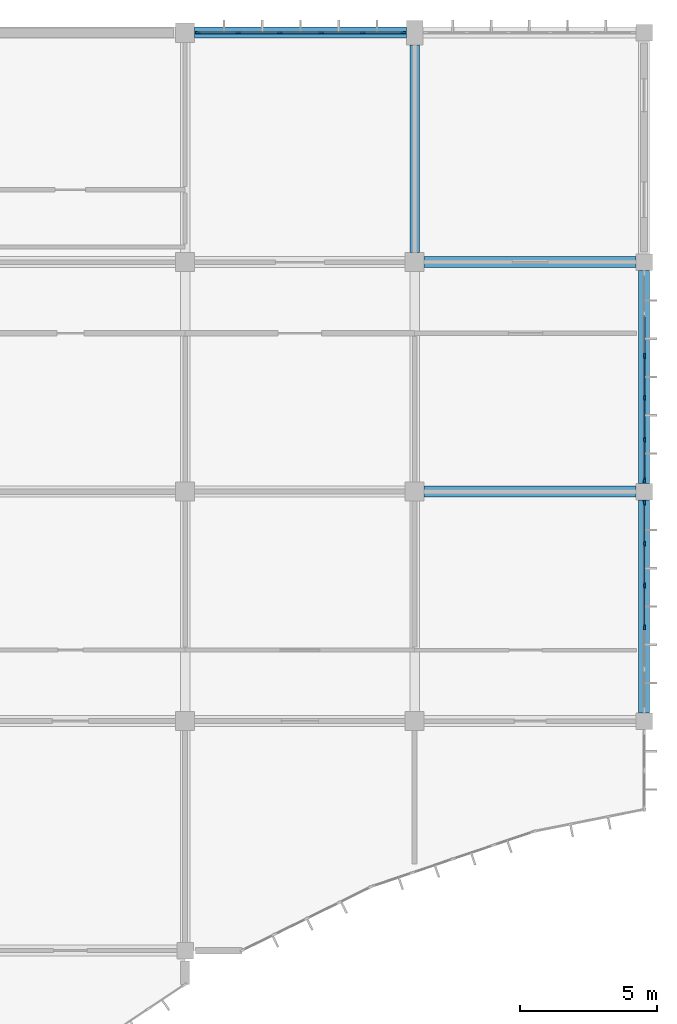
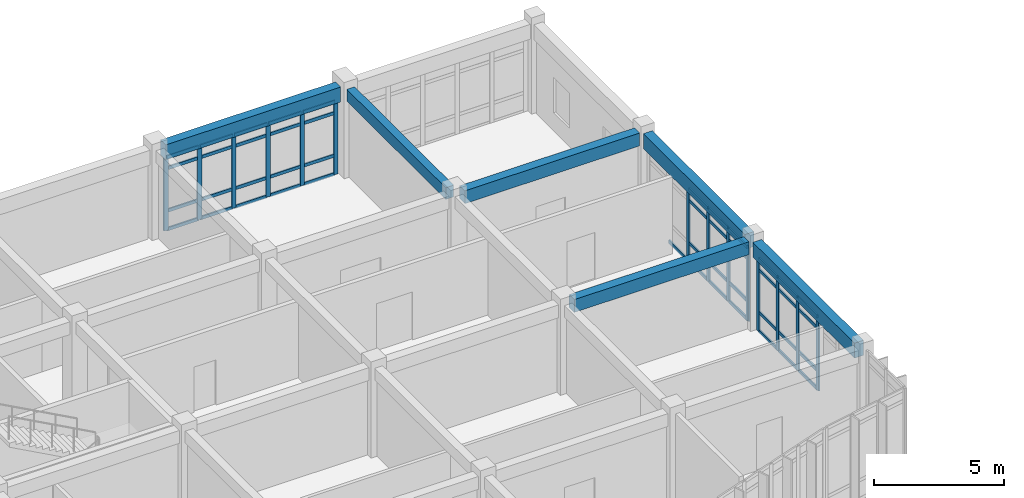
# One storey, part 68 of 144: 59 members, 6 beams, 3 elements without a shape of their own.
"""IFC4 building model written with IfcOpenShell, lengths in metres."""

from ifc_helpers import new_model, si_unit, direction, frame, origin, origin_2d, place, context, subcontext, project, spatial, rectangle, extrude, material, layer, layer_set, material_profile, profile_set, type_object, element, aggregate, save


model = new_model("IFC4")

# Units and contexts
model_context = context("Model", 3, precision=1e-05, world=origin(), true_north=direction((0.0, 1.0)))
body_context = subcontext(model_context, "Body", "Model", "MODEL_VIEW")
ifc_project = project(units=[si_unit("LENGTHUNIT", "METRE"), si_unit("AREAUNIT", "SQUARE_METRE"), si_unit("VOLUMEUNIT", "CUBIC_METRE"), si_unit("PLANEANGLEUNIT", "RADIAN"), si_unit("MASSUNIT", "GRAM", prefix="KILO")], contexts=[model_context])

# Site, building, storey
site_placement = place(None, origin())
site = spatial("IfcSite", under=ifc_project, at=site_placement, CompositionType="ELEMENT")
building_placement = place(site_placement, origin())
building = spatial("IfcBuilding", under=site, at=building_placement, Name="Bramfleet General Hospital", CompositionType="ELEMENT")
storey_placement = place(building_placement, frame((0.0, 0.0, 4.800048828125)))
storey = spatial("IfcBuildingStorey", under=building, at=storey_placement, Name="L01", CompositionType="ELEMENT", Elevation=4.800048828125)

# Beams
ifc_material_1 = material(Name="Concrete C35/45", Category="concrete")
ifc_material_profile_1 = material_profile(ifc_material_1, rectangle(XDim=0.35009765625, YDim=0.550048828125, at=origin_2d()), Name="RC BM 550x350")
ifc_profile_set_1 = profile_set([ifc_material_profile_1], Name="Concrete C35/45")
beam_type_1 = type_object("IfcBeamType", Name="BM-RC550", PredefinedType="BEAM", material=ifc_profile_set_1)
beam_1_placement = place(storey_placement, frame((159.60009765625, 109.550048828125, 3.875), z_axis=(0.0, 1.0, 0.0), x_axis=(-1.0, 0.0, 0.0)))
element("IfcBeam", 1, at=beam_1_placement, inside=storey, type_object=beam_type_1, Name="L01 Grid Beam Y 19-13", PredefinedType="BEAM", context=body_context, shape_type="SweptSolid", body=[
    extrude(rectangle(XDim=0.35009765625, YDim=0.550048828125, at=origin_2d()), origin(), (0.0, 0.0, 1.0), 7.599853515625),
])
ifc_material_profile_2 = material_profile(ifc_material_1, rectangle(XDim=0.39990234375, YDim=0.60009765625, at=origin_2d()), Name="RC BM 600x400")
ifc_profile_set_2 = profile_set([ifc_material_profile_2], Name="Concrete C35/45")
beam_type_2 = type_object("IfcBeamType", Name="BM-RC600", PredefinedType="BEAM", material=ifc_profile_set_2)
for number, where, z_axis, x_axis, name in (
    (2, (159.949951171875, 100.800048828125, 3.849853515625), (1.0, 0.0, 0.0), (0.0, 1.0, 0.0), "L01 Grid Beam X 19-12"),
    (3, (159.949951171875, 109.199951171875, 3.849853515625), (1.0, 0.0, 0.0), (0.0, 1.0, 0.0), "L01 Grid Beam X 19-13"),
):
    element("IfcBeam", number, at=place(storey_placement, frame(where, z_axis=z_axis, x_axis=x_axis)), inside=storey, type_object=beam_type_2, Name=name, PredefinedType="BEAM", context=body_context, shape_type="SweptSolid", body=[
        extrude(rectangle(XDim=0.39990234375, YDim=0.60009765625, at=origin_2d()), origin(), (0.0, 0.0, 1.0), 7.75),
    ])
ifc_material_profile_3 = material_profile(ifc_material_1, rectangle(XDim=0.39990234375, YDim=0.699951171875, at=origin_2d()), Name="RC SP 700x400")
ifc_profile_set_3 = profile_set([ifc_material_profile_3], Name="Concrete C35/45")
beam_type_3 = type_object("IfcBeamType", Name="BM-SP700", PredefinedType="SPANDREL", material=ifc_profile_set_3)
beam_2_placement = place(storey_placement, frame((151.550048828125, 117.60009765625, 3.800048828125), z_axis=(1.0, 0.0, 0.0), x_axis=(0.0, 1.0, 0.0)))
element("IfcBeam", 4, at=beam_2_placement, inside=storey, type_object=beam_type_3, Name="L01 Grid Beam X 18-14", PredefinedType="SPANDREL", context=body_context, shape_type="SweptSolid", body=[
    extrude(rectangle(XDim=0.39990234375, YDim=0.699951171875, at=origin_2d()), origin(), (0.0, 0.0, 1.0), 7.75),
])
beam_3_placement = place(storey_placement, frame((168.0, 92.699951171875, 3.800048828125), z_axis=(0.0, 1.0, 0.0), x_axis=(-1.0, 0.0, 0.0)))
element("IfcBeam", 5, at=beam_3_placement, inside=storey, type_object=beam_type_3, Name="L01 Grid Beam Y 20-11", PredefinedType="SPANDREL", context=body_context, shape_type="SweptSolid", body=[
    extrude(rectangle(XDim=0.39990234375, YDim=0.699951171875, at=origin_2d()), origin(), (0.0, 0.0, 1.0), 7.800048828125),
])
beam_4_placement = place(storey_placement, frame((168.0, 101.10009765625, 3.800048828125), z_axis=(0.0, 1.0, 0.0), x_axis=(-1.0, 0.0, 0.0)))
element("IfcBeam", 6, at=beam_4_placement, inside=storey, type_object=beam_type_3, Name="L01 Grid Beam Y 20-12", PredefinedType="SPANDREL", context=body_context, shape_type="SweptSolid", body=[
    extrude(rectangle(XDim=0.39990234375, YDim=0.699951171875, at=origin_2d()), origin(), (0.0, 0.0, 1.0), 7.7998046875),
])

# Curtain wall, members
ifc_material_2 = material(Name="Anodised aluminium and low-E triple glazing", Category="aluminium")
ifc_layer_1 = layer(ifc_material_2, 0.179931640625, Name="CWT-CW-11")
ifc_layer_set_1 = layer_set([ifc_layer_1], Name="Anodised aluminium and low-E triple glazing")
curtain_wall_type_1 = type_object("IfcCurtainWallType", Name="CWT-CW-11", PredefinedType="USERDEFINED", material=ifc_layer_set_1)
curtain_wall_1_placement = place(storey_placement, origin())
curtain_wall_1 = element("IfcCurtainWall", 7, at=curtain_wall_1_placement, inside=storey, type_object=curtain_wall_type_1, Name="L01 Curtain Wall 47", ObjectType="Stick curtain wall", PredefinedType="USERDEFINED")
ifc_material_3 = material(Name="Structural timber GL28h", Category="wood")
ifc_material_profile_4 = material_profile(ifc_material_3, rectangle(XDim=0.070068359375, YDim=0.18994140625, at=origin_2d()), Name="LARCH 190x70")
ifc_profile_set_4 = profile_set([ifc_material_profile_4], Name="Structural timber GL28h")
member_type_1 = type_object("IfcMemberType", Name="CWM-LARCH450", PredefinedType="MULLION", material=ifc_profile_set_4)
member_1_placement = place(storey_placement, frame((151.659912109375, 117.60009765625, 0.0), z_axis=(0.0, 0.0, 1.0), x_axis=(0.0, 1.0, 0.0)))
member_1 = element("IfcMember", 8, at=member_1_placement, type_object=member_type_1, Name="CW-11 mullion 1", PredefinedType="MULLION", context=body_context, shape_type="SweptSolid", body=[
    extrude(rectangle(XDim=0.070068359375, YDim=0.18994140625, at=origin_2d()), origin(), (0.0, 0.0, 1.0), 3.43994140625),
])
member_2_placement = place(storey_placement, frame((153.14501953125, 117.60009765625, 0.0), z_axis=(0.0, 0.0, 1.0), x_axis=(0.0, 1.0, 0.0)))
member_2 = element("IfcMember", 9, at=member_2_placement, type_object=member_type_1, Name="CW-11 mullion 2", PredefinedType="MULLION", context=body_context, shape_type="SweptSolid", body=[
    extrude(rectangle(XDim=0.070068359375, YDim=0.18994140625, at=origin_2d()), origin(), (0.0, 0.0, 1.0), 3.43994140625),
])
member_3_placement = place(storey_placement, frame((154.6650390625, 117.60009765625, 0.0), z_axis=(0.0, 0.0, 1.0), x_axis=(0.0, 1.0, 0.0)))
member_3 = element("IfcMember", 10, at=member_3_placement, type_object=member_type_1, Name="CW-11 mullion 3", PredefinedType="MULLION", context=body_context, shape_type="SweptSolid", body=[
    extrude(rectangle(XDim=0.070068359375, YDim=0.18994140625, at=origin_2d()), origin(), (0.0, 0.0, 1.0), 3.43994140625),
])
member_4_placement = place(storey_placement, frame((156.18505859375, 117.60009765625, 0.0), z_axis=(0.0, 0.0, 1.0), x_axis=(0.0, 1.0, 0.0)))
member_4 = element("IfcMember", 11, at=member_4_placement, type_object=member_type_1, Name="CW-11 mullion 4", PredefinedType="MULLION", context=body_context, shape_type="SweptSolid", body=[
    extrude(rectangle(XDim=0.070068359375, YDim=0.18994140625, at=origin_2d()), origin(), (0.0, 0.0, 1.0), 3.43994140625),
])
member_5_placement = place(storey_placement, frame((157.705078125, 117.60009765625, 0.0), z_axis=(0.0, 0.0, 1.0), x_axis=(0.0, 1.0, 0.0)))
member_5 = element("IfcMember", 12, at=member_5_placement, type_object=member_type_1, Name="CW-11 mullion 5", PredefinedType="MULLION", context=body_context, shape_type="SweptSolid", body=[
    extrude(rectangle(XDim=0.070068359375, YDim=0.18994140625, at=origin_2d()), origin(), (0.0, 0.0, 1.0), 3.43994140625),
])
member_6_placement = place(storey_placement, frame((159.18994140625, 117.60009765625, 0.0), z_axis=(0.0, 0.0, 1.0), x_axis=(0.0, 1.0, 0.0)))
member_6 = element("IfcMember", 13, at=member_6_placement, type_object=member_type_1, Name="CW-11 mullion 6", PredefinedType="MULLION", context=body_context, shape_type="SweptSolid", body=[
    extrude(rectangle(XDim=0.070068359375, YDim=0.18994140625, at=origin_2d()), origin(), (0.0, 0.0, 1.0), 3.43994140625),
])

ifc_layer_2 = layer(ifc_material_2, 0.179931640625, Name="CWT-CW-13")
ifc_layer_set_2 = layer_set([ifc_layer_2], Name="Anodised aluminium and low-E triple glazing")
curtain_wall_type_2 = type_object("IfcCurtainWallType", Name="CWT-CW-13", PredefinedType="USERDEFINED", material=ifc_layer_set_2)
curtain_wall_2_placement = place(storey_placement, origin())
curtain_wall_2 = element("IfcCurtainWall", 14, at=curtain_wall_2_placement, inside=storey, type_object=curtain_wall_type_2, Name="L01 Curtain Wall 49", ObjectType="Stick curtain wall", PredefinedType="USERDEFINED")
member_7_placement = place(storey_placement, frame((168.0, 105.764892578125, 0.0), z_axis=(0.0, 0.0, 1.0), x_axis=(1.0, 0.0, 0.0)))
member_7 = element("IfcMember", 15, at=member_7_placement, type_object=member_type_1, Name="CW-13 mullion 3", PredefinedType="MULLION", context=body_context, shape_type="SweptSolid", body=[
    extrude(rectangle(XDim=0.070068359375, YDim=0.18994140625, at=origin_2d()), origin(), (0.0, 0.0, 1.0), 3.43994140625),
])
member_8_placement = place(storey_placement, frame((168.0, 104.235107421875, 0.0), z_axis=(0.0, 0.0, 1.0), x_axis=(1.0, 0.0, 0.0)))
member_8 = element("IfcMember", 16, at=member_8_placement, type_object=member_type_1, Name="CW-13 mullion 4", PredefinedType="MULLION", context=body_context, shape_type="SweptSolid", body=[
    extrude(rectangle(XDim=0.070068359375, YDim=0.18994140625, at=origin_2d()), origin(), (0.0, 0.0, 1.0), 3.43994140625),
])
member_9_placement = place(storey_placement, frame((168.0, 102.705078125, 0.0), z_axis=(0.0, 0.0, 1.0), x_axis=(1.0, 0.0, 0.0)))
member_9 = element("IfcMember", 17, at=member_9_placement, type_object=member_type_1, Name="CW-13 mullion 5", PredefinedType="MULLION", context=body_context, shape_type="SweptSolid", body=[
    extrude(rectangle(XDim=0.070068359375, YDim=0.18994140625, at=origin_2d()), origin(), (0.0, 0.0, 1.0), 3.43994140625),
])
member_10_placement = place(storey_placement, frame((168.0, 101.2099609375, 0.0), z_axis=(0.0, 0.0, 1.0), x_axis=(1.0, 0.0, 0.0)))
member_10 = element("IfcMember", 18, at=member_10_placement, type_object=member_type_1, Name="CW-13 mullion 6", PredefinedType="MULLION", context=body_context, shape_type="SweptSolid", body=[
    extrude(rectangle(XDim=0.070068359375, YDim=0.18994140625, at=origin_2d()), origin(), (0.0, 0.0, 1.0), 3.43994140625),
])

ifc_layer_3 = layer(ifc_material_2, 0.179931640625, Name="CWT-CW-14")
ifc_layer_set_3 = layer_set([ifc_layer_3], Name="Anodised aluminium and low-E triple glazing")
curtain_wall_type_3 = type_object("IfcCurtainWallType", Name="CWT-CW-14", PredefinedType="USERDEFINED", material=ifc_layer_set_3)
curtain_wall_3_placement = place(storey_placement, origin())
curtain_wall_3 = element("IfcCurtainWall", 19, at=curtain_wall_3_placement, inside=storey, type_object=curtain_wall_type_3, Name="L01 Curtain Wall 50", ObjectType="Stick curtain wall", PredefinedType="USERDEFINED")
member_11_placement = place(storey_placement, frame((168.0, 100.389892578125, 0.0), z_axis=(0.0, 0.0, 1.0), x_axis=(1.0, 0.0, 0.0)))
member_11 = element("IfcMember", 20, at=member_11_placement, type_object=member_type_1, Name="CW-14 mullion 1", PredefinedType="MULLION", context=body_context, shape_type="SweptSolid", body=[
    extrude(rectangle(XDim=0.070068359375, YDim=0.18994140625, at=origin_2d()), origin(), (0.0, 0.0, 1.0), 3.43994140625),
])
member_12_placement = place(storey_placement, frame((168.0, 98.89501953125, 0.0), z_axis=(0.0, 0.0, 1.0), x_axis=(1.0, 0.0, 0.0)))
member_12 = element("IfcMember", 21, at=member_12_placement, type_object=member_type_1, Name="CW-14 mullion 2", PredefinedType="MULLION", context=body_context, shape_type="SweptSolid", body=[
    extrude(rectangle(XDim=0.070068359375, YDim=0.18994140625, at=origin_2d()), origin(), (0.0, 0.0, 1.0), 3.43994140625),
])
member_13_placement = place(storey_placement, frame((168.0, 97.364990234375, 0.0), z_axis=(0.0, 0.0, 1.0), x_axis=(1.0, 0.0, 0.0)))
member_13 = element("IfcMember", 22, at=member_13_placement, type_object=member_type_1, Name="CW-14 mullion 3", PredefinedType="MULLION", context=body_context, shape_type="SweptSolid", body=[
    extrude(rectangle(XDim=0.070068359375, YDim=0.18994140625, at=origin_2d()), origin(), (0.0, 0.0, 1.0), 3.43994140625),
])
member_14_placement = place(storey_placement, frame((168.0, 95.8349609375, 0.0), z_axis=(0.0, 0.0, 1.0), x_axis=(1.0, 0.0, 0.0)))
member_14 = element("IfcMember", 23, at=member_14_placement, type_object=member_type_1, Name="CW-14 mullion 4", PredefinedType="MULLION", context=body_context, shape_type="SweptSolid", body=[
    extrude(rectangle(XDim=0.070068359375, YDim=0.18994140625, at=origin_2d()), origin(), (0.0, 0.0, 1.0), 3.43994140625),
])

# Member
ifc_material_profile_5 = material_profile(ifc_material_3, rectangle(XDim=0.06494140625, YDim=0.14990234375, at=origin_2d()), Name="LARCH 150x65")
ifc_profile_set_5 = profile_set([ifc_material_profile_5], Name="Structural timber GL28h")
member_type_2 = type_object("IfcMemberType", Name="CWT-LARCH220", PredefinedType="USERDEFINED", material=ifc_profile_set_5)
member_15_placement = place(storey_placement, frame((151.695068359375, 117.60009765625, 0.032470703125), z_axis=(1.0, 0.0, 0.0), x_axis=(0.0, 1.0, 0.0)))
member_15 = element("IfcMember", 24, at=member_15_placement, type_object=member_type_2, Name="CW-11 transom 1.1", ObjectType="TRANSOM", PredefinedType="USERDEFINED", context=body_context, shape_type="SweptSolid", body=[
    extrude(rectangle(XDim=0.06494140625, YDim=0.14990234375, at=origin_2d()), origin(), (0.0, 0.0, 1.0), 1.4150390625),
])

member_16_placement = place(storey_placement, frame((151.695068359375, 117.60009765625, 0.89990234375), z_axis=(1.0, 0.0, 0.0), x_axis=(0.0, 1.0, 0.0)))
member_16 = element("IfcMember", 25, at=member_16_placement, type_object=member_type_2, Name="CW-11 transom 1.2", ObjectType="TRANSOM", PredefinedType="USERDEFINED", context=body_context, shape_type="SweptSolid", body=[
    extrude(rectangle(XDim=0.06494140625, YDim=0.14990234375, at=origin_2d()), origin(), (0.0, 0.0, 1.0), 1.4150390625),
])

member_17_placement = place(storey_placement, frame((151.695068359375, 117.60009765625, 2.889892578125), z_axis=(1.0, 0.0, 0.0), x_axis=(0.0, 1.0, 0.0)))
member_17 = element("IfcMember", 26, at=member_17_placement, type_object=member_type_2, Name="CW-11 transom 1.3", ObjectType="TRANSOM", PredefinedType="USERDEFINED", context=body_context, shape_type="SweptSolid", body=[
    extrude(rectangle(XDim=0.06494140625, YDim=0.14990234375, at=origin_2d()), origin(), (0.0, 0.0, 1.0), 1.4150390625),
])

member_18_placement = place(storey_placement, frame((151.695068359375, 117.60009765625, 3.407470703125), z_axis=(1.0, 0.0, 0.0), x_axis=(0.0, 1.0, 0.0)))
member_18 = element("IfcMember", 27, at=member_18_placement, type_object=member_type_2, Name="CW-11 transom 1.4", ObjectType="TRANSOM", PredefinedType="USERDEFINED", context=body_context, shape_type="SweptSolid", body=[
    extrude(rectangle(XDim=0.06494140625, YDim=0.14990234375, at=origin_2d()), origin(), (0.0, 0.0, 1.0), 1.4150390625),
])

member_19_placement = place(storey_placement, frame((153.179931640625, 117.60009765625, 0.032470703125), z_axis=(1.0, 0.0, 0.0), x_axis=(0.0, 1.0, 0.0)))
member_19 = element("IfcMember", 28, at=member_19_placement, type_object=member_type_2, Name="CW-11 transom 2.1", ObjectType="TRANSOM", PredefinedType="USERDEFINED", context=body_context, shape_type="SweptSolid", body=[
    extrude(rectangle(XDim=0.06494140625, YDim=0.14990234375, at=origin_2d()), origin(), (0.0, 0.0, 1.0), 1.449951171875),
])

member_20_placement = place(storey_placement, frame((153.179931640625, 117.60009765625, 0.89990234375), z_axis=(1.0, 0.0, 0.0), x_axis=(0.0, 1.0, 0.0)))
member_20 = element("IfcMember", 29, at=member_20_placement, type_object=member_type_2, Name="CW-11 transom 2.2", ObjectType="TRANSOM", PredefinedType="USERDEFINED", context=body_context, shape_type="SweptSolid", body=[
    extrude(rectangle(XDim=0.06494140625, YDim=0.14990234375, at=origin_2d()), origin(), (0.0, 0.0, 1.0), 1.449951171875),
])

member_21_placement = place(storey_placement, frame((153.179931640625, 117.60009765625, 2.889892578125), z_axis=(1.0, 0.0, 0.0), x_axis=(0.0, 1.0, 0.0)))
member_21 = element("IfcMember", 30, at=member_21_placement, type_object=member_type_2, Name="CW-11 transom 2.3", ObjectType="TRANSOM", PredefinedType="USERDEFINED", context=body_context, shape_type="SweptSolid", body=[
    extrude(rectangle(XDim=0.06494140625, YDim=0.14990234375, at=origin_2d()), origin(), (0.0, 0.0, 1.0), 1.449951171875),
])

member_22_placement = place(storey_placement, frame((153.179931640625, 117.60009765625, 3.407470703125), z_axis=(1.0, 0.0, 0.0), x_axis=(0.0, 1.0, 0.0)))
member_22 = element("IfcMember", 31, at=member_22_placement, type_object=member_type_2, Name="CW-11 transom 2.4", ObjectType="TRANSOM", PredefinedType="USERDEFINED", context=body_context, shape_type="SweptSolid", body=[
    extrude(rectangle(XDim=0.06494140625, YDim=0.14990234375, at=origin_2d()), origin(), (0.0, 0.0, 1.0), 1.449951171875),
])

member_23_placement = place(storey_placement, frame((154.699951171875, 117.60009765625, 0.032470703125), z_axis=(1.0, 0.0, 0.0), x_axis=(0.0, 1.0, 0.0)))
member_23 = element("IfcMember", 32, at=member_23_placement, type_object=member_type_2, Name="CW-11 transom 3.1", ObjectType="TRANSOM", PredefinedType="USERDEFINED", context=body_context, shape_type="SweptSolid", body=[
    extrude(rectangle(XDim=0.06494140625, YDim=0.14990234375, at=origin_2d()), origin(), (0.0, 0.0, 1.0), 1.449951171875),
])

member_24_placement = place(storey_placement, frame((154.699951171875, 117.60009765625, 0.89990234375), z_axis=(1.0, 0.0, 0.0), x_axis=(0.0, 1.0, 0.0)))
member_24 = element("IfcMember", 33, at=member_24_placement, type_object=member_type_2, Name="CW-11 transom 3.2", ObjectType="TRANSOM", PredefinedType="USERDEFINED", context=body_context, shape_type="SweptSolid", body=[
    extrude(rectangle(XDim=0.06494140625, YDim=0.14990234375, at=origin_2d()), origin(), (0.0, 0.0, 1.0), 1.449951171875),
])

member_25_placement = place(storey_placement, frame((154.699951171875, 117.60009765625, 2.889892578125), z_axis=(1.0, 0.0, 0.0), x_axis=(0.0, 1.0, 0.0)))
member_25 = element("IfcMember", 34, at=member_25_placement, type_object=member_type_2, Name="CW-11 transom 3.3", ObjectType="TRANSOM", PredefinedType="USERDEFINED", context=body_context, shape_type="SweptSolid", body=[
    extrude(rectangle(XDim=0.06494140625, YDim=0.14990234375, at=origin_2d()), origin(), (0.0, 0.0, 1.0), 1.449951171875),
])

member_26_placement = place(storey_placement, frame((154.699951171875, 117.60009765625, 3.407470703125), z_axis=(1.0, 0.0, 0.0), x_axis=(0.0, 1.0, 0.0)))
member_26 = element("IfcMember", 35, at=member_26_placement, type_object=member_type_2, Name="CW-11 transom 3.4", ObjectType="TRANSOM", PredefinedType="USERDEFINED", context=body_context, shape_type="SweptSolid", body=[
    extrude(rectangle(XDim=0.06494140625, YDim=0.14990234375, at=origin_2d()), origin(), (0.0, 0.0, 1.0), 1.449951171875),
])

member_27_placement = place(storey_placement, frame((156.219970703125, 117.60009765625, 0.032470703125), z_axis=(1.0, 0.0, 0.0), x_axis=(0.0, 1.0, 0.0)))
member_27 = element("IfcMember", 36, at=member_27_placement, type_object=member_type_2, Name="CW-11 transom 4.1", ObjectType="TRANSOM", PredefinedType="USERDEFINED", context=body_context, shape_type="SweptSolid", body=[
    extrude(rectangle(XDim=0.06494140625, YDim=0.14990234375, at=origin_2d()), origin(), (0.0, 0.0, 1.0), 1.449951171875),
])

member_28_placement = place(storey_placement, frame((156.219970703125, 117.60009765625, 0.89990234375), z_axis=(1.0, 0.0, 0.0), x_axis=(0.0, 1.0, 0.0)))
member_28 = element("IfcMember", 37, at=member_28_placement, type_object=member_type_2, Name="CW-11 transom 4.2", ObjectType="TRANSOM", PredefinedType="USERDEFINED", context=body_context, shape_type="SweptSolid", body=[
    extrude(rectangle(XDim=0.06494140625, YDim=0.14990234375, at=origin_2d()), origin(), (0.0, 0.0, 1.0), 1.449951171875),
])

member_29_placement = place(storey_placement, frame((156.219970703125, 117.60009765625, 2.889892578125), z_axis=(1.0, 0.0, 0.0), x_axis=(0.0, 1.0, 0.0)))
member_29 = element("IfcMember", 38, at=member_29_placement, type_object=member_type_2, Name="CW-11 transom 4.3", ObjectType="TRANSOM", PredefinedType="USERDEFINED", context=body_context, shape_type="SweptSolid", body=[
    extrude(rectangle(XDim=0.06494140625, YDim=0.14990234375, at=origin_2d()), origin(), (0.0, 0.0, 1.0), 1.449951171875),
])

member_30_placement = place(storey_placement, frame((156.219970703125, 117.60009765625, 3.407470703125), z_axis=(1.0, 0.0, 0.0), x_axis=(0.0, 1.0, 0.0)))
member_30 = element("IfcMember", 39, at=member_30_placement, type_object=member_type_2, Name="CW-11 transom 4.4", ObjectType="TRANSOM", PredefinedType="USERDEFINED", context=body_context, shape_type="SweptSolid", body=[
    extrude(rectangle(XDim=0.06494140625, YDim=0.14990234375, at=origin_2d()), origin(), (0.0, 0.0, 1.0), 1.449951171875),
])

member_31_placement = place(storey_placement, frame((157.739990234375, 117.60009765625, 0.032470703125), z_axis=(1.0, 0.0, 0.0), x_axis=(0.0, 1.0, 0.0)))
member_31 = element("IfcMember", 40, at=member_31_placement, type_object=member_type_2, Name="CW-11 transom 5.1", ObjectType="TRANSOM", PredefinedType="USERDEFINED", context=body_context, shape_type="SweptSolid", body=[
    extrude(rectangle(XDim=0.06494140625, YDim=0.14990234375, at=origin_2d()), origin(), (0.0, 0.0, 1.0), 1.4150390625),
])

member_32_placement = place(storey_placement, frame((157.739990234375, 117.60009765625, 0.89990234375), z_axis=(1.0, 0.0, 0.0), x_axis=(0.0, 1.0, 0.0)))
member_32 = element("IfcMember", 41, at=member_32_placement, type_object=member_type_2, Name="CW-11 transom 5.2", ObjectType="TRANSOM", PredefinedType="USERDEFINED", context=body_context, shape_type="SweptSolid", body=[
    extrude(rectangle(XDim=0.06494140625, YDim=0.14990234375, at=origin_2d()), origin(), (0.0, 0.0, 1.0), 1.4150390625),
])

member_33_placement = place(storey_placement, frame((157.739990234375, 117.60009765625, 2.889892578125), z_axis=(1.0, 0.0, 0.0), x_axis=(0.0, 1.0, 0.0)))
member_33 = element("IfcMember", 42, at=member_33_placement, type_object=member_type_2, Name="CW-11 transom 5.3", ObjectType="TRANSOM", PredefinedType="USERDEFINED", context=body_context, shape_type="SweptSolid", body=[
    extrude(rectangle(XDim=0.06494140625, YDim=0.14990234375, at=origin_2d()), origin(), (0.0, 0.0, 1.0), 1.4150390625),
])

member_34_placement = place(storey_placement, frame((157.739990234375, 117.60009765625, 3.407470703125), z_axis=(1.0, 0.0, 0.0), x_axis=(0.0, 1.0, 0.0)))
member_34 = element("IfcMember", 43, at=member_34_placement, type_object=member_type_2, Name="CW-11 transom 5.4", ObjectType="TRANSOM", PredefinedType="USERDEFINED", context=body_context, shape_type="SweptSolid", body=[
    extrude(rectangle(XDim=0.06494140625, YDim=0.14990234375, at=origin_2d()), origin(), (0.0, 0.0, 1.0), 1.4150390625),
])

aggregate(curtain_wall_1, [member_1, member_2, member_3, member_4, member_5, member_6, member_15, member_16, member_17, member_18, member_19, member_20, member_21, member_22, member_23, member_24, member_25, member_26, member_27, member_28, member_29, member_30, member_31, member_32, member_33, member_34])

member_35_placement = place(storey_placement, frame((168.0, 107.260009765625, 0.032470703125), z_axis=(0.0, -1.0, 0.0), x_axis=(1.0, 0.0, 0.0)))
member_35 = element("IfcMember", 44, at=member_35_placement, type_object=member_type_2, Name="CW-13 transom 2.1", ObjectType="TRANSOM", PredefinedType="USERDEFINED", context=body_context, shape_type="SweptSolid", body=[
    extrude(rectangle(XDim=0.06494140625, YDim=0.14990234375, at=origin_2d()), origin(), (0.0, 0.0, 1.0), 1.4599609375),
])

member_36_placement = place(storey_placement, frame((168.0, 105.72998046875, 0.032470703125), z_axis=(0.0, -1.0, 0.0), x_axis=(1.0, 0.0, 0.0)))
member_36 = element("IfcMember", 45, at=member_36_placement, type_object=member_type_2, Name="CW-13 transom 3.1", ObjectType="TRANSOM", PredefinedType="USERDEFINED", context=body_context, shape_type="SweptSolid", body=[
    extrude(rectangle(XDim=0.06494140625, YDim=0.14990234375, at=origin_2d()), origin(), (0.0, 0.0, 1.0), 1.4599609375),
])

member_37_placement = place(storey_placement, frame((168.0, 105.72998046875, 0.89990234375), z_axis=(0.0, -1.0, 0.0), x_axis=(1.0, 0.0, 0.0)))
member_37 = element("IfcMember", 46, at=member_37_placement, type_object=member_type_2, Name="CW-13 transom 3.2", ObjectType="TRANSOM", PredefinedType="USERDEFINED", context=body_context, shape_type="SweptSolid", body=[
    extrude(rectangle(XDim=0.06494140625, YDim=0.14990234375, at=origin_2d()), origin(), (0.0, 0.0, 1.0), 1.4599609375),
])

member_38_placement = place(storey_placement, frame((168.0, 105.72998046875, 2.889892578125), z_axis=(0.0, -1.0, 0.0), x_axis=(1.0, 0.0, 0.0)))
member_38 = element("IfcMember", 47, at=member_38_placement, type_object=member_type_2, Name="CW-13 transom 3.3", ObjectType="TRANSOM", PredefinedType="USERDEFINED", context=body_context, shape_type="SweptSolid", body=[
    extrude(rectangle(XDim=0.06494140625, YDim=0.14990234375, at=origin_2d()), origin(), (0.0, 0.0, 1.0), 1.4599609375),
])

member_39_placement = place(storey_placement, frame((168.0, 105.72998046875, 3.407470703125), z_axis=(0.0, -1.0, 0.0), x_axis=(1.0, 0.0, 0.0)))
member_39 = element("IfcMember", 48, at=member_39_placement, type_object=member_type_2, Name="CW-13 transom 3.4", ObjectType="TRANSOM", PredefinedType="USERDEFINED", context=body_context, shape_type="SweptSolid", body=[
    extrude(rectangle(XDim=0.06494140625, YDim=0.14990234375, at=origin_2d()), origin(), (0.0, 0.0, 1.0), 1.4599609375),
])

member_40_placement = place(storey_placement, frame((168.0, 104.199951171875, 0.032470703125), z_axis=(0.0, -1.0, 0.0), x_axis=(1.0, 0.0, 0.0)))
member_40 = element("IfcMember", 49, at=member_40_placement, type_object=member_type_2, Name="CW-13 transom 4.1", ObjectType="TRANSOM", PredefinedType="USERDEFINED", context=body_context, shape_type="SweptSolid", body=[
    extrude(rectangle(XDim=0.06494140625, YDim=0.14990234375, at=origin_2d()), origin(), (0.0, 0.0, 1.0), 1.4599609375),
])

member_41_placement = place(storey_placement, frame((168.0, 104.199951171875, 0.89990234375), z_axis=(0.0, -1.0, 0.0), x_axis=(1.0, 0.0, 0.0)))
member_41 = element("IfcMember", 50, at=member_41_placement, type_object=member_type_2, Name="CW-13 transom 4.2", ObjectType="TRANSOM", PredefinedType="USERDEFINED", context=body_context, shape_type="SweptSolid", body=[
    extrude(rectangle(XDim=0.06494140625, YDim=0.14990234375, at=origin_2d()), origin(), (0.0, 0.0, 1.0), 1.4599609375),
])

member_42_placement = place(storey_placement, frame((168.0, 104.199951171875, 2.889892578125), z_axis=(0.0, -1.0, 0.0), x_axis=(1.0, 0.0, 0.0)))
member_42 = element("IfcMember", 51, at=member_42_placement, type_object=member_type_2, Name="CW-13 transom 4.3", ObjectType="TRANSOM", PredefinedType="USERDEFINED", context=body_context, shape_type="SweptSolid", body=[
    extrude(rectangle(XDim=0.06494140625, YDim=0.14990234375, at=origin_2d()), origin(), (0.0, 0.0, 1.0), 1.4599609375),
])

member_43_placement = place(storey_placement, frame((168.0, 104.199951171875, 3.407470703125), z_axis=(0.0, -1.0, 0.0), x_axis=(1.0, 0.0, 0.0)))
member_43 = element("IfcMember", 52, at=member_43_placement, type_object=member_type_2, Name="CW-13 transom 4.4", ObjectType="TRANSOM", PredefinedType="USERDEFINED", context=body_context, shape_type="SweptSolid", body=[
    extrude(rectangle(XDim=0.06494140625, YDim=0.14990234375, at=origin_2d()), origin(), (0.0, 0.0, 1.0), 1.4599609375),
])

member_44_placement = place(storey_placement, frame((168.0, 102.669921875, 0.032470703125), z_axis=(0.0, -1.0, 0.0), x_axis=(1.0, 0.0, 0.0)))
member_44 = element("IfcMember", 53, at=member_44_placement, type_object=member_type_2, Name="CW-13 transom 5.1", ObjectType="TRANSOM", PredefinedType="USERDEFINED", context=body_context, shape_type="SweptSolid", body=[
    extrude(rectangle(XDim=0.06494140625, YDim=0.14990234375, at=origin_2d()), origin(), (0.0, 0.0, 1.0), 1.4248046875),
])

member_45_placement = place(storey_placement, frame((168.0, 102.669921875, 0.89990234375), z_axis=(0.0, -1.0, 0.0), x_axis=(1.0, 0.0, 0.0)))
member_45 = element("IfcMember", 54, at=member_45_placement, type_object=member_type_2, Name="CW-13 transom 5.2", ObjectType="TRANSOM", PredefinedType="USERDEFINED", context=body_context, shape_type="SweptSolid", body=[
    extrude(rectangle(XDim=0.06494140625, YDim=0.14990234375, at=origin_2d()), origin(), (0.0, 0.0, 1.0), 1.4248046875),
])

member_46_placement = place(storey_placement, frame((168.0, 102.669921875, 2.889892578125), z_axis=(0.0, -1.0, 0.0), x_axis=(1.0, 0.0, 0.0)))
member_46 = element("IfcMember", 55, at=member_46_placement, type_object=member_type_2, Name="CW-13 transom 5.3", ObjectType="TRANSOM", PredefinedType="USERDEFINED", context=body_context, shape_type="SweptSolid", body=[
    extrude(rectangle(XDim=0.06494140625, YDim=0.14990234375, at=origin_2d()), origin(), (0.0, 0.0, 1.0), 1.4248046875),
])

member_47_placement = place(storey_placement, frame((168.0, 102.669921875, 3.407470703125), z_axis=(0.0, -1.0, 0.0), x_axis=(1.0, 0.0, 0.0)))
member_47 = element("IfcMember", 56, at=member_47_placement, type_object=member_type_2, Name="CW-13 transom 5.4", ObjectType="TRANSOM", PredefinedType="USERDEFINED", context=body_context, shape_type="SweptSolid", body=[
    extrude(rectangle(XDim=0.06494140625, YDim=0.14990234375, at=origin_2d()), origin(), (0.0, 0.0, 1.0), 1.4248046875),
])

aggregate(curtain_wall_2, [member_7, member_8, member_9, member_10, member_35, member_36, member_37, member_38, member_39, member_40, member_41, member_42, member_43, member_44, member_45, member_46, member_47])

member_48_placement = place(storey_placement, frame((168.0, 100.35498046875, 0.032470703125), z_axis=(0.0, -1.0, 0.0), x_axis=(1.0, 0.0, 0.0)))
member_48 = element("IfcMember", 57, at=member_48_placement, type_object=member_type_2, Name="CW-14 transom 1.1", ObjectType="TRANSOM", PredefinedType="USERDEFINED", context=body_context, shape_type="SweptSolid", body=[
    extrude(rectangle(XDim=0.06494140625, YDim=0.14990234375, at=origin_2d()), origin(), (0.0, 0.0, 1.0), 1.425048828125),
])

member_49_placement = place(storey_placement, frame((168.0, 100.35498046875, 0.89990234375), z_axis=(0.0, -1.0, 0.0), x_axis=(1.0, 0.0, 0.0)))
member_49 = element("IfcMember", 58, at=member_49_placement, type_object=member_type_2, Name="CW-14 transom 1.2", ObjectType="TRANSOM", PredefinedType="USERDEFINED", context=body_context, shape_type="SweptSolid", body=[
    extrude(rectangle(XDim=0.06494140625, YDim=0.14990234375, at=origin_2d()), origin(), (0.0, 0.0, 1.0), 1.425048828125),
])

member_50_placement = place(storey_placement, frame((168.0, 100.35498046875, 2.889892578125), z_axis=(0.0, -1.0, 0.0), x_axis=(1.0, 0.0, 0.0)))
member_50 = element("IfcMember", 59, at=member_50_placement, type_object=member_type_2, Name="CW-14 transom 1.3", ObjectType="TRANSOM", PredefinedType="USERDEFINED", context=body_context, shape_type="SweptSolid", body=[
    extrude(rectangle(XDim=0.06494140625, YDim=0.14990234375, at=origin_2d()), origin(), (0.0, 0.0, 1.0), 1.425048828125),
])

member_51_placement = place(storey_placement, frame((168.0, 100.35498046875, 3.407470703125), z_axis=(0.0, -1.0, 0.0), x_axis=(1.0, 0.0, 0.0)))
member_51 = element("IfcMember", 60, at=member_51_placement, type_object=member_type_2, Name="CW-14 transom 1.4", ObjectType="TRANSOM", PredefinedType="USERDEFINED", context=body_context, shape_type="SweptSolid", body=[
    extrude(rectangle(XDim=0.06494140625, YDim=0.14990234375, at=origin_2d()), origin(), (0.0, 0.0, 1.0), 1.425048828125),
])

member_52_placement = place(storey_placement, frame((168.0, 98.860107421875, 0.032470703125), z_axis=(0.0, -1.0, 0.0), x_axis=(1.0, 0.0, 0.0)))
member_52 = element("IfcMember", 61, at=member_52_placement, type_object=member_type_2, Name="CW-14 transom 2.1", ObjectType="TRANSOM", PredefinedType="USERDEFINED", context=body_context, shape_type="SweptSolid", body=[
    extrude(rectangle(XDim=0.06494140625, YDim=0.14990234375, at=origin_2d()), origin(), (0.0, 0.0, 1.0), 1.460205078125),
])

member_53_placement = place(storey_placement, frame((168.0, 98.860107421875, 0.89990234375), z_axis=(0.0, -1.0, 0.0), x_axis=(1.0, 0.0, 0.0)))
member_53 = element("IfcMember", 62, at=member_53_placement, type_object=member_type_2, Name="CW-14 transom 2.2", ObjectType="TRANSOM", PredefinedType="USERDEFINED", context=body_context, shape_type="SweptSolid", body=[
    extrude(rectangle(XDim=0.06494140625, YDim=0.14990234375, at=origin_2d()), origin(), (0.0, 0.0, 1.0), 1.460205078125),
])

member_54_placement = place(storey_placement, frame((168.0, 98.860107421875, 2.889892578125), z_axis=(0.0, -1.0, 0.0), x_axis=(1.0, 0.0, 0.0)))
member_54 = element("IfcMember", 63, at=member_54_placement, type_object=member_type_2, Name="CW-14 transom 2.3", ObjectType="TRANSOM", PredefinedType="USERDEFINED", context=body_context, shape_type="SweptSolid", body=[
    extrude(rectangle(XDim=0.06494140625, YDim=0.14990234375, at=origin_2d()), origin(), (0.0, 0.0, 1.0), 1.460205078125),
])

member_55_placement = place(storey_placement, frame((168.0, 98.860107421875, 3.407470703125), z_axis=(0.0, -1.0, 0.0), x_axis=(1.0, 0.0, 0.0)))
member_55 = element("IfcMember", 64, at=member_55_placement, type_object=member_type_2, Name="CW-14 transom 2.4", ObjectType="TRANSOM", PredefinedType="USERDEFINED", context=body_context, shape_type="SweptSolid", body=[
    extrude(rectangle(XDim=0.06494140625, YDim=0.14990234375, at=origin_2d()), origin(), (0.0, 0.0, 1.0), 1.460205078125),
])

member_56_placement = place(storey_placement, frame((168.0, 97.330078125, 0.032470703125), z_axis=(0.0, -1.0, 0.0), x_axis=(1.0, 0.0, 0.0)))
member_56 = element("IfcMember", 65, at=member_56_placement, type_object=member_type_2, Name="CW-14 transom 3.1", ObjectType="TRANSOM", PredefinedType="USERDEFINED", context=body_context, shape_type="SweptSolid", body=[
    extrude(rectangle(XDim=0.06494140625, YDim=0.14990234375, at=origin_2d()), origin(), (0.0, 0.0, 1.0), 1.4599609375),
])

member_57_placement = place(storey_placement, frame((168.0, 97.330078125, 0.89990234375), z_axis=(0.0, -1.0, 0.0), x_axis=(1.0, 0.0, 0.0)))
member_57 = element("IfcMember", 66, at=member_57_placement, type_object=member_type_2, Name="CW-14 transom 3.2", ObjectType="TRANSOM", PredefinedType="USERDEFINED", context=body_context, shape_type="SweptSolid", body=[
    extrude(rectangle(XDim=0.06494140625, YDim=0.14990234375, at=origin_2d()), origin(), (0.0, 0.0, 1.0), 1.4599609375),
])

member_58_placement = place(storey_placement, frame((168.0, 97.330078125, 2.889892578125), z_axis=(0.0, -1.0, 0.0), x_axis=(1.0, 0.0, 0.0)))
member_58 = element("IfcMember", 67, at=member_58_placement, type_object=member_type_2, Name="CW-14 transom 3.3", ObjectType="TRANSOM", PredefinedType="USERDEFINED", context=body_context, shape_type="SweptSolid", body=[
    extrude(rectangle(XDim=0.06494140625, YDim=0.14990234375, at=origin_2d()), origin(), (0.0, 0.0, 1.0), 1.4599609375),
])

member_59_placement = place(storey_placement, frame((168.0, 97.330078125, 3.407470703125), z_axis=(0.0, -1.0, 0.0), x_axis=(1.0, 0.0, 0.0)))
member_59 = element("IfcMember", 68, at=member_59_placement, type_object=member_type_2, Name="CW-14 transom 3.4", ObjectType="TRANSOM", PredefinedType="USERDEFINED", context=body_context, shape_type="SweptSolid", body=[
    extrude(rectangle(XDim=0.06494140625, YDim=0.14990234375, at=origin_2d()), origin(), (0.0, 0.0, 1.0), 1.4599609375),
])

aggregate(curtain_wall_3, [member_11, member_12, member_13, member_14, member_48, member_49, member_50, member_51, member_52, member_53, member_54, member_55, member_56, member_57, member_58, member_59])

save(model, "model.ifc")
